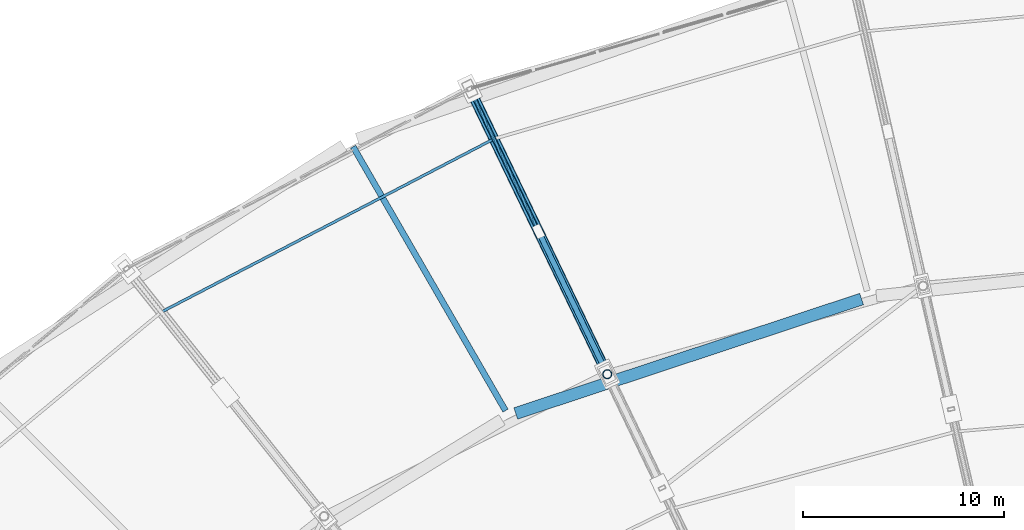
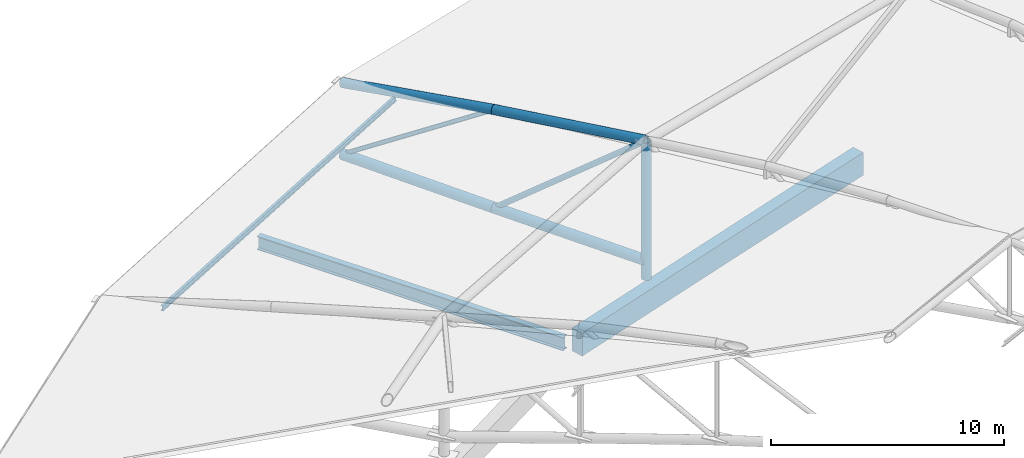
# One storey, part 83 of 108: 8 members, 2 beams.
"""IFC4 building model written with IfcOpenShell, lengths in metres."""

from ifc_helpers import new_model, si_unit, direction, frame, origin, origin_2d, place, context, subcontext, project, spatial, rectangle, hollow_circle, i_section, extrude, material, material_profile, profile_set, type_object, element, save


model = new_model("IFC4")

# Units and contexts
model_context = context("Model", 3, precision=1e-05, world=origin(), true_north=direction((0.0, 1.0)))
body_context = subcontext(model_context, "Body", "Model", "MODEL_VIEW")
ifc_project = project(units=[si_unit("LENGTHUNIT", "METRE"), si_unit("AREAUNIT", "SQUARE_METRE"), si_unit("VOLUMEUNIT", "CUBIC_METRE"), si_unit("PLANEANGLEUNIT", "RADIAN"), si_unit("MASSUNIT", "GRAM", prefix="KILO")], contexts=[model_context])

# Site, building, storey
site_placement = place(None, origin())
site = spatial("IfcSite", under=ifc_project, at=site_placement, CompositionType="ELEMENT")
building_placement = place(site_placement, origin())
building = spatial("IfcBuilding", under=site, at=building_placement, Name="Zevraka Park Crest Stadium", CompositionType="ELEMENT")
storey_placement = place(building_placement, frame((0.0, 0.0, 29.39990234375)))
storey = spatial("IfcBuildingStorey", under=building, at=storey_placement, Name="RF", CompositionType="ELEMENT", Elevation=29.39990234375)

# Beam
ifc_material_1 = material(Name="Steel S355", Category="steel")
ifc_material_profile_1 = material_profile(ifc_material_1, i_section(OverallWidth=0.300048828125, OverallDepth=0.699951171875, WebThickness=0.01708984375, FlangeThickness=0.031982421875, at=origin_2d()), Name="HEB 700")
ifc_profile_set_1 = profile_set([ifc_material_profile_1], Name="Steel S355")
beam_type_1 = type_object("IfcBeamType", Name="BG06", PredefinedType="BEAM", material=ifc_profile_set_1)
beam_1_placement = place(storey_placement, frame((74.60009765625, 143.7890625, -0.534912109375), z_axis=(-0.500026023896, 0.86601037836, 0.0), x_axis=(-0.86601037836, -0.500026023896, 0.0)))
element("IfcBeam", 1, at=beam_1_placement, inside=storey, type_object=beam_type_1, Name="Radial Girder BG06 RF-BD-08", PredefinedType="BEAM", context=body_context, shape_type="SweptSolid", body=[
    extrude(i_section(OverallWidth=0.300048828125, OverallDepth=0.699951171875, WebThickness=0.01708984375, FlangeThickness=0.031982421875, at=origin_2d()), origin(), (0.0, 0.0, 1.0), 15.199462890625),
])

# Member
ifc_material_2 = material(Name="Steel S355", Category="steel")
ifc_material_profile_2 = material_profile(ifc_material_2, i_section(OverallWidth=0.135009765625, OverallDepth=0.27001953125, WebThickness=0.006591796875, FlangeThickness=0.01025390625, at=origin_2d()), Name="IPE 270")
ifc_profile_set_2 = profile_set([ifc_material_profile_2], Name="Steel S355")
member_type_1 = type_object("IfcMemberType", Name="PR04", PredefinedType="PURLIN", material=ifc_profile_set_2)
member_1_placement = place(storey_placement, frame((74.02392578125, 157.342041015625, 4.302001953125), z_axis=(-0.886970325998, -0.461826418471, 0.0), x_axis=(0.461826418471, -0.886970325998, 0.0)))
element("IfcMember", 2, at=member_1_placement, inside=storey, type_object=member_type_1, Name="Canopy Roof Purlin PR04 OUTER-10-1", PredefinedType="PURLIN", context=body_context, shape_type="SweptSolid", body=[
    extrude(i_section(OverallWidth=0.135009765625, OverallDepth=0.27001953125, WebThickness=0.006591796875, FlangeThickness=0.01025390625, at=origin_2d()), origin(), (0.0, 0.0, 1.0), 18.708740234375),
])

# Beam
ifc_material_3 = material(Name="Concrete C40/50", Category="concrete")
ifc_material_profile_3 = material_profile(ifc_material_3, rectangle(XDim=0.60009765625, YDim=1.199951171875, at=origin_2d()), Name="RC 1200x600")
ifc_profile_set_3 = profile_set([ifc_material_profile_3], Name="Concrete C40/50")
beam_type_2 = type_object("IfcBeamType", Name="RB01", PredefinedType="BEAM", material=ifc_profile_set_3)
beam_2_placement = place(storey_placement, frame((92.35693359375, 149.35400390625, -0.599853515625), z_axis=(-0.949383863235, -0.314118258349, 0.0), x_axis=(0.314118258349, -0.949383863235, 0.0)))
element("IfcBeam", 3, at=beam_2_placement, inside=storey, type_object=beam_type_2, Name="Ring Beam RB01 RF-B-07", PredefinedType="BEAM", context=body_context, shape_type="SweptSolid", body=[
    extrude(rectangle(XDim=0.60009765625, YDim=1.199951171875, at=origin_2d()), origin(), (0.0, 0.0, 1.0), 18.165283203125),
])

# Members
ifc_material_4 = material(Name="Steel S355", Category="steel")
ifc_material_profile_4 = material_profile(ifc_material_4, hollow_circle(Radius=0.25390625, WallThickness=0.030029296875, at=origin_2d()), Name="CHS 508.0x30")
ifc_profile_set_4 = profile_set([ifc_material_profile_4], Name="Steel S355")
member_type_2 = type_object("IfcMemberType", Name="TC01", PredefinedType="CHORD", material=ifc_profile_set_4)
member_2_placement = place(storey_placement, frame((72.820068359375, 159.843017578125, 0.25), z_axis=(0.433588503654, -0.90031143252, 0.037951732141), x_axis=(0.90096050834, 0.4339010975, 0.0)))
element("IfcMember", 4, at=member_2_placement, inside=storey, type_object=member_type_2, Name="Roof Truss Bottom Chord TC01 T10-1", PredefinedType="CHORD", context=body_context, shape_type="SweptSolid", body=[
    extrude(hollow_circle(Radius=0.25390625, WallThickness=0.030029296875, at=origin_2d()), origin(), (0.0, 0.0, 1.0), 7.906005859375),
])
member_3_placement = place(storey_placement, frame((76.248046875, 152.72509765625, 0.550048828125), z_axis=(0.433511827755, -0.900059597088, 0.044274336657), x_axis=(0.900943052133, 0.433937342035, 0.0)))
element("IfcMember", 5, at=member_3_placement, inside=storey, type_object=member_type_2, Name="Roof Truss Bottom Chord TC01 T10-2", PredefinedType="CHORD", context=body_context, shape_type="SweptSolid", body=[
    extrude(hollow_circle(Radius=0.25390625, WallThickness=0.030029296875, at=origin_2d()), origin(), (0.0, 0.0, 1.0), 7.907470703125),
])
ifc_material_5 = material(Name="Steel S355", Category="steel")
ifc_material_profile_5 = material_profile(ifc_material_5, hollow_circle(Radius=0.228515625, WallThickness=0.02490234375, at=origin_2d()), Name="CHS 457.0x25")
ifc_profile_set_5 = profile_set([ifc_material_profile_5], Name="Steel S355")
member_type_3 = type_object("IfcMemberType", Name="TC02", PredefinedType="CHORD", material=ifc_profile_set_5)
member_4_placement = place(storey_placement, frame((79.676025390625, 145.60791015625, 0.0), z_axis=(0.0, 0.0, 1.0), x_axis=(-0.43381634559, 0.90100131981, 0.0)))
element("IfcMember", 6, at=member_4_placement, inside=storey, type_object=member_type_3, Name="Roof Truss Anchor Strut TC02 T10-2", PredefinedType="CHORD", context=body_context, shape_type="SweptSolid", body=[
    extrude(hollow_circle(Radius=0.228515625, WallThickness=0.02490234375, at=origin_2d()), origin(), (0.0, 0.0, 1.0), 7.2001953125),
])
member_5_placement = place(storey_placement, frame((72.820068359375, 159.843017578125, 4.0), z_axis=(0.424189522612, -0.880795209155, 0.210387852394), x_axis=(0.90096050834, 0.4339010975, 0.0)))
element("IfcMember", 7, at=member_5_placement, inside=storey, type_object=member_type_3, Name="Roof Truss Top Chord TC02 T10-1", PredefinedType="CHORD", context=body_context, shape_type="SweptSolid", body=[
    extrude(hollow_circle(Radius=0.228515625, WallThickness=0.02490234375, at=origin_2d()), origin(), (0.0, 0.0, 1.0), 8.081298828125),
])
member_6_placement = place(storey_placement, frame((76.248046875, 152.72509765625, 5.7001953125), z_axis=(0.426320000783, -0.885127887104, 0.186547260509), x_axis=(0.900943052133, 0.433937342035, 0.0)))
element("IfcMember", 8, at=member_6_placement, inside=storey, type_object=member_type_3, Name="Roof Truss Top Chord TC02 T10-2", PredefinedType="CHORD", context=body_context, shape_type="SweptSolid", body=[
    extrude(hollow_circle(Radius=0.228515625, WallThickness=0.02490234375, at=origin_2d()), origin(), (0.0, 0.0, 1.0), 8.040771484375),
])
ifc_material_6 = material(Name="Steel S355", Category="steel")
ifc_material_profile_6 = material_profile(ifc_material_6, hollow_circle(Radius=0.136474609375, WallThickness=0.012451171875, at=origin_2d()), Name="CHS 273.0x12.5")
ifc_profile_set_6 = profile_set([ifc_material_profile_6], Name="Steel S355")
member_type_4 = type_object("IfcMemberType", Name="WB01", PredefinedType="BRACE", material=ifc_profile_set_6)
member_7_placement = place(storey_placement, frame((76.248046875, 152.72509765625, 0.550048828125), z_axis=(0.331969899327, -0.689237697114, 0.644008837531), x_axis=(0.900943052133, 0.433937342035, 0.0)))
element("IfcMember", 9, at=member_7_placement, inside=storey, type_object=member_type_4, Name="Roof Truss Web Diagonal WB01 T10-2", PredefinedType="BRACE", context=body_context, shape_type="SweptSolid", body=[
    extrude(hollow_circle(Radius=0.136474609375, WallThickness=0.012451171875, at=origin_2d()), origin(), (0.0, 0.0, 1.0), 10.326171875),
])
ifc_material_7 = material(Name="Steel S355", Category="steel")
ifc_material_profile_7 = material_profile(ifc_material_7, hollow_circle(Radius=0.109619140625, WallThickness=0.010009765625, at=origin_2d()), Name="CHS 219.1x10")
ifc_profile_set_7 = profile_set([ifc_material_profile_7], Name="Steel S355")
member_type_5 = type_object("IfcMemberType", Name="WB02", PredefinedType="BRACE", material=ifc_profile_set_7)
member_8_placement = place(storey_placement, frame((72.820068359375, 159.843017578125, 0.25), z_axis=(0.357157740479, -0.741609139212, 0.567850537601), x_axis=(0.90096050834, 0.4339010975, 0.0)))
element("IfcMember", 10, at=member_8_placement, inside=storey, type_object=member_type_5, Name="Roof Truss Web Diagonal WB02 T10-1", PredefinedType="BRACE", context=body_context, shape_type="SweptSolid", body=[
    extrude(hollow_circle(Radius=0.109619140625, WallThickness=0.010009765625, at=origin_2d()), origin(), (0.0, 0.0, 1.0), 9.597900390625),
])

save(model, "model.ifc")
